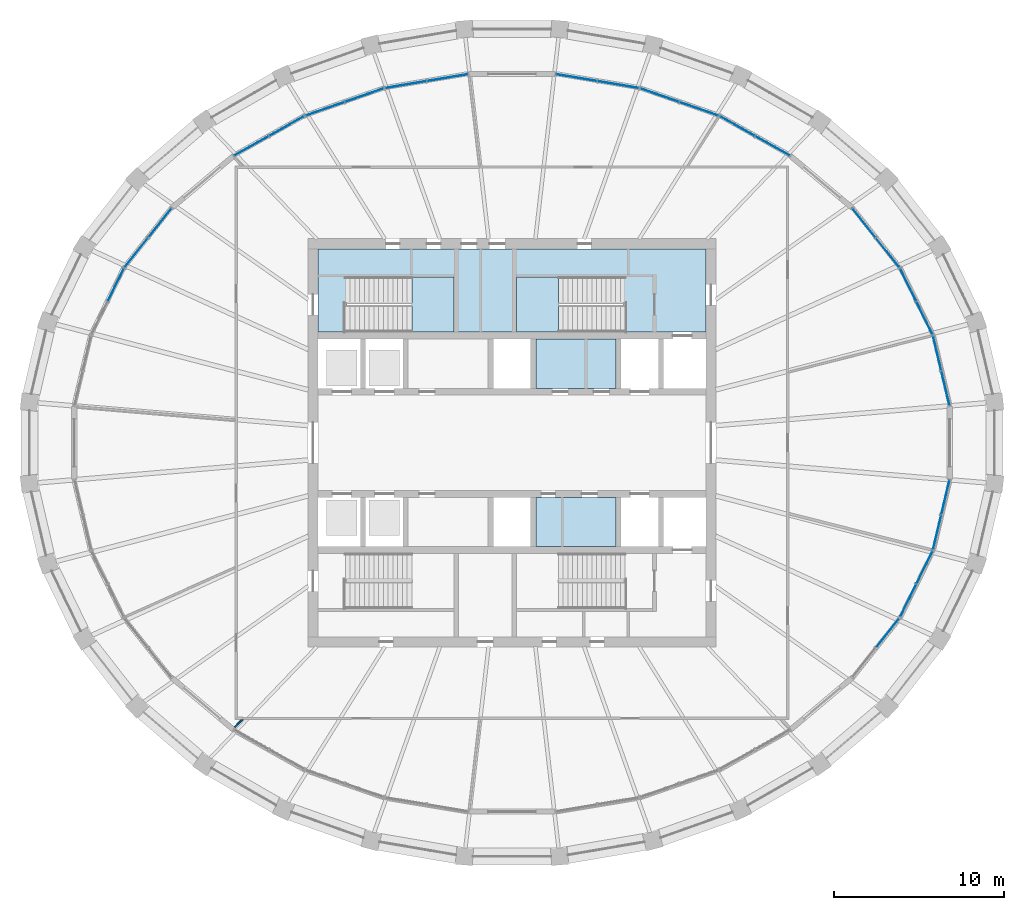
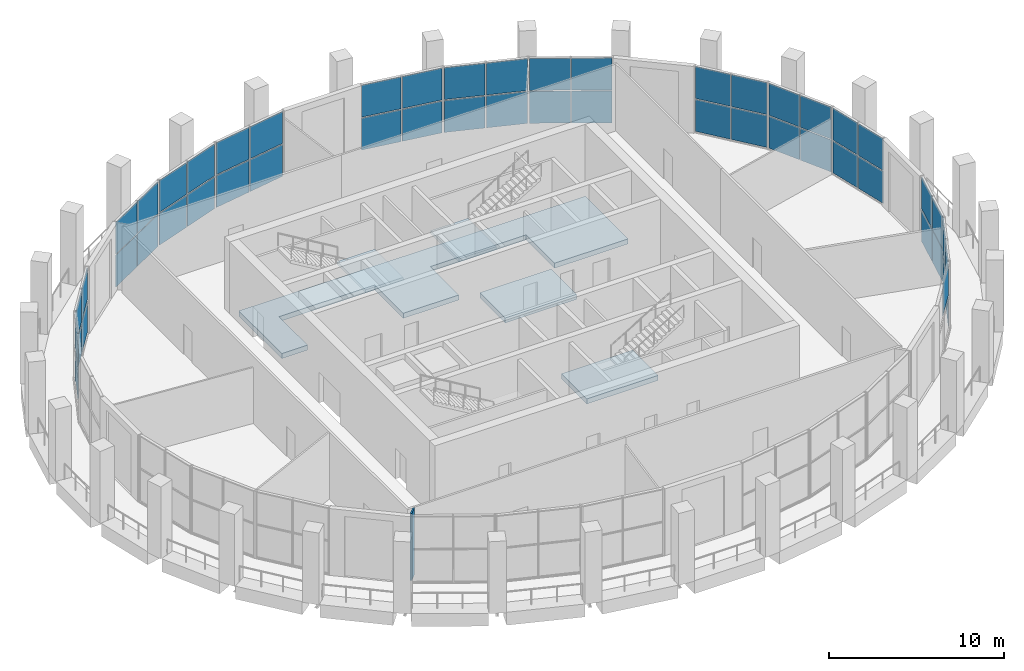
# One storey, part 9 of 16: 51 plates, 5 slabs, 1 wall, 16 elements without a shape of their own.
"""IFC4 building model written with IfcOpenShell, lengths in metres."""

from ifc_helpers import new_model, si_unit, direction, frame, origin, origin_2d, place, context, subcontext, project, spatial, polyline, rectangle, outline, extrude, material, layer, layer_set, type_object, element, aggregate, save


model = new_model("IFC4")

# Units and contexts
model_context = context("Model", 3, precision=1e-05, world=origin(), true_north=direction((0.0, 1.0)))
body_context = subcontext(model_context, "Body", "Model", "MODEL_VIEW")
ifc_project = project(units=[si_unit("LENGTHUNIT", "METRE"), si_unit("AREAUNIT", "SQUARE_METRE"), si_unit("VOLUMEUNIT", "CUBIC_METRE"), si_unit("PLANEANGLEUNIT", "RADIAN"), si_unit("MASSUNIT", "GRAM", prefix="KILO")], contexts=[model_context])

# Site, building, storey
site_placement = place(None, origin())
site = spatial("IfcSite", under=ifc_project, at=site_placement, CompositionType="ELEMENT")
building_placement = place(site_placement, origin())
building = spatial("IfcBuilding", under=site, at=building_placement, Name="Halqa Exchange Tower", CompositionType="ELEMENT")
storey_placement = place(building_placement, frame((0.0, 0.0, 333.300048828125)))
storey = spatial("IfcBuildingStorey", under=building, at=storey_placement, Name="L78", CompositionType="ELEMENT", Elevation=333.300048828125)

# Curtain wall, plates
ifc_material_1 = material(Name="Anodised aluminium and clear glass", Category="aluminium")
curtain_wall_type = type_object("IfcCurtainWallType", Name="Sky lobby glazing", PredefinedType="NOTDEFINED", material=ifc_material_1)
curtain_wall_1_placement = place(storey_placement, origin())
curtain_wall_1 = element("IfcCurtainWall", 1, at=curtain_wall_1_placement, inside=storey, type_object=curtain_wall_type, Name="Sky lobby glazing run G1", PredefinedType="NOTDEFINED")
ifc_material_2 = material(Name="Clear glass", Category="glass")
ifc_layer_1 = layer(ifc_material_2, 0.031982421875)
ifc_layer_set_1 = layer_set([ifc_layer_1], Name="Clear glass")
plate_type = type_object("IfcPlateType", Name="Clear low-emissivity glass panel 32", PredefinedType="CURTAIN_PANEL", material=ifc_layer_set_1)
plate_1_placement = place(storey_placement, frame((25.474609375, 3.20263671875, 0.06982421875), z_axis=(0.0, 0.0, 1.0), x_axis=(-0.229995471437, 0.97319169906, 0.0)))
plate_1 = element("IfcPlate", 2, at=plate_1_placement, type_object=plate_type, Name="G1 panel 1.1", PredefinedType="CURTAIN_PANEL", context=body_context, shape_type="SweptSolid", body=[
    extrude(rectangle(XDim=2.048828125, YDim=0.031982421875, at=origin_2d()), origin(), (0.0, 0.0, 1.0), 2.219970703125),
])
plate_2_placement = place(storey_placement, frame((25.474609375, 3.20263671875, 2.35986328125), z_axis=(0.0, 0.0, 1.0), x_axis=(-0.229995471437, 0.97319169906, 0.0)))
plate_2 = element("IfcPlate", 3, at=plate_2_placement, type_object=plate_type, Name="G1 panel 1.2", PredefinedType="CURTAIN_PANEL", context=body_context, shape_type="SweptSolid", body=[
    extrude(rectangle(XDim=2.048828125, YDim=0.031982421875, at=origin_2d()), origin(), (0.0, 0.0, 1.0), 2.219970703125),
])
plate_3_placement = place(storey_placement, frame((24.9873046875, 5.264404296875, 0.06982421875), z_axis=(0.0, 0.0, 1.0), x_axis=(-0.229995471437, 0.97319169906, 0.0)))
plate_3 = element("IfcPlate", 4, at=plate_3_placement, type_object=plate_type, Name="G1 panel 2.1", PredefinedType="CURTAIN_PANEL", context=body_context, shape_type="SweptSolid", body=[
    extrude(rectangle(XDim=2.048828125, YDim=0.031982421875, at=origin_2d()), origin(), (0.0, 0.0, 1.0), 2.219970703125),
])
plate_4_placement = place(storey_placement, frame((24.9873046875, 5.264404296875, 2.35986328125), z_axis=(0.0, 0.0, 1.0), x_axis=(-0.229995471437, 0.97319169906, 0.0)))
plate_4 = element("IfcPlate", 5, at=plate_4_placement, type_object=plate_type, Name="G1 panel 2.2", PredefinedType="CURTAIN_PANEL", context=body_context, shape_type="SweptSolid", body=[
    extrude(rectangle(XDim=2.048828125, YDim=0.031982421875, at=origin_2d()), origin(), (0.0, 0.0, 1.0), 2.219970703125),
])
aggregate(curtain_wall_1, [plate_1, plate_2, plate_3, plate_4])

curtain_wall_2_placement = place(storey_placement, origin())
curtain_wall_2 = element("IfcCurtainWall", 6, at=curtain_wall_2_placement, inside=storey, type_object=curtain_wall_type, Name="Sky lobby glazing run G2", PredefinedType="NOTDEFINED")
plate_5_placement = place(storey_placement, frame((24.2421875, 7.33203125, 0.06982421875), z_axis=(0.0, 0.0, 1.0), x_axis=(-0.441594506199, 0.897214741349, 0.0)))
plate_5 = element("IfcPlate", 7, at=plate_5_placement, type_object=plate_type, Name="G2 panel 1.1", PredefinedType="CURTAIN_PANEL", context=body_context, shape_type="SweptSolid", body=[
    extrude(rectangle(XDim=2.094482421875, YDim=0.031982421875, at=origin_2d()), origin(), (0.0, 0.0, 1.0), 2.219970703125),
])
plate_6_placement = place(storey_placement, frame((24.2421875, 7.33203125, 2.35986328125), z_axis=(0.0, 0.0, 1.0), x_axis=(-0.441594506199, 0.897214741349, 0.0)))
plate_6 = element("IfcPlate", 8, at=plate_6_placement, type_object=plate_type, Name="G2 panel 1.2", PredefinedType="CURTAIN_PANEL", context=body_context, shape_type="SweptSolid", body=[
    extrude(rectangle(XDim=2.094482421875, YDim=0.031982421875, at=origin_2d()), origin(), (0.0, 0.0, 1.0), 2.219970703125),
])
plate_7_placement = place(storey_placement, frame((23.286376953125, 9.27392578125, 0.06982421875), z_axis=(0.0, 0.0, 1.0), x_axis=(-0.441594506199, 0.897214741349, 0.0)))
plate_7 = element("IfcPlate", 9, at=plate_7_placement, type_object=plate_type, Name="G2 panel 2.1", PredefinedType="CURTAIN_PANEL", context=body_context, shape_type="SweptSolid", body=[
    extrude(rectangle(XDim=2.094482421875, YDim=0.031982421875, at=origin_2d()), origin(), (0.0, 0.0, 1.0), 2.219970703125),
])
plate_8_placement = place(storey_placement, frame((23.286376953125, 9.27392578125, 2.35986328125), z_axis=(0.0, 0.0, 1.0), x_axis=(-0.441594506199, 0.897214741349, 0.0)))
plate_8 = element("IfcPlate", 10, at=plate_8_placement, type_object=plate_type, Name="G2 panel 2.2", PredefinedType="CURTAIN_PANEL", context=body_context, shape_type="SweptSolid", body=[
    extrude(rectangle(XDim=2.094482421875, YDim=0.031982421875, at=origin_2d()), origin(), (0.0, 0.0, 1.0), 2.219970703125),
])
aggregate(curtain_wall_2, [plate_5, plate_6, plate_7, plate_8])

curtain_wall_3_placement = place(storey_placement, origin())
curtain_wall_3 = element("IfcCurtainWall", 11, at=curtain_wall_3_placement, inside=storey, type_object=curtain_wall_type, Name="Sky lobby glazing run G3", PredefinedType="NOTDEFINED")
plate_9_placement = place(storey_placement, frame((22.077392578125, 11.177490234375, 0.06982421875), z_axis=(0.0, 0.0, 1.0), x_axis=(-0.621817275737, 0.783162355834, 0.0)))
plate_9 = element("IfcPlate", 12, at=plate_9_placement, type_object=plate_type, Name="G3 panel 1.1", PredefinedType="CURTAIN_PANEL", context=body_context, shape_type="SweptSolid", body=[
    extrude(rectangle(XDim=2.161376953125, YDim=0.031982421875, at=origin_2d()), origin(), (0.0, 0.0, 1.0), 2.219970703125),
])
plate_10_placement = place(storey_placement, frame((22.077392578125, 11.177490234375, 2.35986328125), z_axis=(0.0, 0.0, 1.0), x_axis=(-0.621817275737, 0.783162355834, 0.0)))
plate_10 = element("IfcPlate", 13, at=plate_10_placement, type_object=plate_type, Name="G3 panel 1.2", PredefinedType="CURTAIN_PANEL", context=body_context, shape_type="SweptSolid", body=[
    extrude(rectangle(XDim=2.161376953125, YDim=0.031982421875, at=origin_2d()), origin(), (0.0, 0.0, 1.0), 2.219970703125),
])
plate_11_placement = place(storey_placement, frame((20.68994140625, 12.925048828125, 0.06982421875), z_axis=(0.0, 0.0, 1.0), x_axis=(-0.621817275737, 0.783162355834, 0.0)))
plate_11 = element("IfcPlate", 14, at=plate_11_placement, type_object=plate_type, Name="G3 panel 2.1", PredefinedType="CURTAIN_PANEL", context=body_context, shape_type="SweptSolid", body=[
    extrude(rectangle(XDim=2.161376953125, YDim=0.031982421875, at=origin_2d()), origin(), (0.0, 0.0, 1.0), 2.219970703125),
])
plate_12_placement = place(storey_placement, frame((20.68994140625, 12.925048828125, 2.35986328125), z_axis=(0.0, 0.0, 1.0), x_axis=(-0.621817275737, 0.783162355834, 0.0)))
plate_12 = element("IfcPlate", 15, at=plate_12_placement, type_object=plate_type, Name="G3 panel 2.2", PredefinedType="CURTAIN_PANEL", context=body_context, shape_type="SweptSolid", body=[
    extrude(rectangle(XDim=2.161376953125, YDim=0.031982421875, at=origin_2d()), origin(), (0.0, 0.0, 1.0), 2.219970703125),
])
aggregate(curtain_wall_3, [plate_9, plate_10, plate_11, plate_12])

curtain_wall_4_placement = place(storey_placement, origin())
curtain_wall_4 = element("IfcCurtainWall", 16, at=curtain_wall_4_placement, inside=storey, type_object=curtain_wall_type, Name="Sky lobby glazing run G5", PredefinedType="NOTDEFINED")
plate_13_placement = place(storey_placement, frame((15.3212890625, 17.44384765625, 0.06982421875), z_axis=(0.0, 0.0, 1.0), x_axis=(-0.871633547948, 0.490158094997, 0.0)))
plate_13 = element("IfcPlate", 17, at=plate_13_placement, type_object=plate_type, Name="G5 panel 1.1", PredefinedType="CURTAIN_PANEL", context=body_context, shape_type="SweptSolid", body=[
    extrude(rectangle(XDim=2.311767578125, YDim=0.031982421875, at=origin_2d()), origin(), (0.0, 0.0, 1.0), 2.219970703125),
])
plate_14_placement = place(storey_placement, frame((15.3212890625, 17.44384765625, 2.35986328125), z_axis=(0.0, 0.0, 1.0), x_axis=(-0.871633547948, 0.490158094997, 0.0)))
plate_14 = element("IfcPlate", 18, at=plate_14_placement, type_object=plate_type, Name="G5 panel 1.2", PredefinedType="CURTAIN_PANEL", context=body_context, shape_type="SweptSolid", body=[
    extrude(rectangle(XDim=2.311767578125, YDim=0.031982421875, at=origin_2d()), origin(), (0.0, 0.0, 1.0), 2.219970703125),
])
plate_15_placement = place(storey_placement, frame((13.245361328125, 18.611083984375, 0.06982421875), z_axis=(0.0, 0.0, 1.0), x_axis=(-0.871633547948, 0.490158094997, 0.0)))
plate_15 = element("IfcPlate", 19, at=plate_15_placement, type_object=plate_type, Name="G5 panel 2.1", PredefinedType="CURTAIN_PANEL", context=body_context, shape_type="SweptSolid", body=[
    extrude(rectangle(XDim=2.311767578125, YDim=0.031982421875, at=origin_2d()), origin(), (0.0, 0.0, 1.0), 2.219970703125),
])
plate_16_placement = place(storey_placement, frame((13.245361328125, 18.611083984375, 2.35986328125), z_axis=(0.0, 0.0, 1.0), x_axis=(-0.871633547948, 0.490158094997, 0.0)))
plate_16 = element("IfcPlate", 20, at=plate_16_placement, type_object=plate_type, Name="G5 panel 2.2", PredefinedType="CURTAIN_PANEL", context=body_context, shape_type="SweptSolid", body=[
    extrude(rectangle(XDim=2.311767578125, YDim=0.031982421875, at=origin_2d()), origin(), (0.0, 0.0, 1.0), 2.219970703125),
])
aggregate(curtain_wall_4, [plate_13, plate_14, plate_15, plate_16])

curtain_wall_5_placement = place(storey_placement, origin())
curtain_wall_5 = element("IfcCurtainWall", 21, at=curtain_wall_5_placement, inside=storey, type_object=curtain_wall_type, Name="Sky lobby glazing run G6", PredefinedType="NOTDEFINED")
plate_17_placement = place(storey_placement, frame((10.990478515625, 19.62548828125, 0.06982421875), z_axis=(0.0, 0.0, 1.0), x_axis=(-0.9442741551, 0.329160021888, 0.0)))
plate_17 = element("IfcPlate", 22, at=plate_17_placement, type_object=plate_type, Name="G6 panel 1.1", PredefinedType="CURTAIN_PANEL", context=body_context, shape_type="SweptSolid", body=[
    extrude(rectangle(XDim=2.37255859375, YDim=0.031982421875, at=origin_2d()), origin(), (0.0, 0.0, 1.0), 2.219970703125),
])
plate_18_placement = place(storey_placement, frame((10.990478515625, 19.62548828125, 2.35986328125), z_axis=(0.0, 0.0, 1.0), x_axis=(-0.9442741551, 0.329160021888, 0.0)))
plate_18 = element("IfcPlate", 23, at=plate_18_placement, type_object=plate_type, Name="G6 panel 1.2", PredefinedType="CURTAIN_PANEL", context=body_context, shape_type="SweptSolid", body=[
    extrude(rectangle(XDim=2.37255859375, YDim=0.031982421875, at=origin_2d()), origin(), (0.0, 0.0, 1.0), 2.219970703125),
])
plate_19_placement = place(storey_placement, frame((8.683837890625, 20.429443359375, 0.06982421875), z_axis=(0.0, 0.0, 1.0), x_axis=(-0.9442741551, 0.329160021888, 0.0)))
plate_19 = element("IfcPlate", 24, at=plate_19_placement, type_object=plate_type, Name="G6 panel 2.1", PredefinedType="CURTAIN_PANEL", context=body_context, shape_type="SweptSolid", body=[
    extrude(rectangle(XDim=2.37255859375, YDim=0.031982421875, at=origin_2d()), origin(), (0.0, 0.0, 1.0), 2.219970703125),
])
plate_20_placement = place(storey_placement, frame((8.683837890625, 20.429443359375, 2.35986328125), z_axis=(0.0, 0.0, 1.0), x_axis=(-0.9442741551, 0.329160021888, 0.0)))
plate_20 = element("IfcPlate", 25, at=plate_20_placement, type_object=plate_type, Name="G6 panel 2.2", PredefinedType="CURTAIN_PANEL", context=body_context, shape_type="SweptSolid", body=[
    extrude(rectangle(XDim=2.37255859375, YDim=0.031982421875, at=origin_2d()), origin(), (0.0, 0.0, 1.0), 2.219970703125),
])
aggregate(curtain_wall_5, [plate_17, plate_18, plate_19, plate_20])

curtain_wall_6_placement = place(storey_placement, origin())
curtain_wall_6 = element("IfcCurtainWall", 26, at=curtain_wall_6_placement, inside=storey, type_object=curtain_wall_type, Name="Sky lobby glazing run G7", PredefinedType="NOTDEFINED")
plate_21_placement = place(storey_placement, frame((6.23876953125, 21.053955078125, 0.06982421875), z_axis=(0.0, 0.0, 1.0), x_axis=(-0.986273964834, 0.165117129007, 0.0)))
plate_21 = element("IfcPlate", 27, at=plate_21_placement, type_object=plate_type, Name="G7 panel 1.1", PredefinedType="CURTAIN_PANEL", context=body_context, shape_type="SweptSolid", body=[
    extrude(rectangle(XDim=2.41259765625, YDim=0.031982421875, at=origin_2d()), origin(), (0.0, 0.0, 1.0), 2.219970703125),
])
plate_22_placement = place(storey_placement, frame((6.23876953125, 21.053955078125, 2.35986328125), z_axis=(0.0, 0.0, 1.0), x_axis=(-0.986273964834, 0.165117129007, 0.0)))
plate_22 = element("IfcPlate", 28, at=plate_22_placement, type_object=plate_type, Name="G7 panel 1.2", PredefinedType="CURTAIN_PANEL", context=body_context, shape_type="SweptSolid", body=[
    extrude(rectangle(XDim=2.41259765625, YDim=0.031982421875, at=origin_2d()), origin(), (0.0, 0.0, 1.0), 2.219970703125),
])
plate_23_placement = place(storey_placement, frame((3.790283203125, 21.4638671875, 0.06982421875), z_axis=(0.0, 0.0, 1.0), x_axis=(-0.986273964834, 0.165117129007, 0.0)))
plate_23 = element("IfcPlate", 29, at=plate_23_placement, type_object=plate_type, Name="G7 panel 2.1", PredefinedType="CURTAIN_PANEL", context=body_context, shape_type="SweptSolid", body=[
    extrude(rectangle(XDim=2.41259765625, YDim=0.031982421875, at=origin_2d()), origin(), (0.0, 0.0, 1.0), 2.219970703125),
])
plate_24_placement = place(storey_placement, frame((3.790283203125, 21.4638671875, 2.35986328125), z_axis=(0.0, 0.0, 1.0), x_axis=(-0.986273964834, 0.165117129007, 0.0)))
plate_24 = element("IfcPlate", 30, at=plate_24_placement, type_object=plate_type, Name="G7 panel 2.2", PredefinedType="CURTAIN_PANEL", context=body_context, shape_type="SweptSolid", body=[
    extrude(rectangle(XDim=2.41259765625, YDim=0.031982421875, at=origin_2d()), origin(), (0.0, 0.0, 1.0), 2.219970703125),
])
aggregate(curtain_wall_6, [plate_21, plate_22, plate_23, plate_24])

curtain_wall_7_placement = place(storey_placement, origin())
curtain_wall_7 = element("IfcCurtainWall", 31, at=curtain_wall_7_placement, inside=storey, type_object=curtain_wall_type, Name="Sky lobby glazing run G9", PredefinedType="NOTDEFINED")
plate_25_placement = place(storey_placement, frame((-3.790283203125, 21.4638671875, 0.06982421875), z_axis=(0.0, 0.0, 1.0), x_axis=(-0.986273964834, -0.165117129007, 0.0)))
plate_25 = element("IfcPlate", 32, at=plate_25_placement, type_object=plate_type, Name="G9 panel 1.1", PredefinedType="CURTAIN_PANEL", context=body_context, shape_type="SweptSolid", body=[
    extrude(rectangle(XDim=2.41259765625, YDim=0.031982421875, at=origin_2d()), origin(), (0.0, 0.0, 1.0), 2.219970703125),
])
plate_26_placement = place(storey_placement, frame((-3.790283203125, 21.4638671875, 2.35986328125), z_axis=(0.0, 0.0, 1.0), x_axis=(-0.986273964834, -0.165117129007, 0.0)))
plate_26 = element("IfcPlate", 33, at=plate_26_placement, type_object=plate_type, Name="G9 panel 1.2", PredefinedType="CURTAIN_PANEL", context=body_context, shape_type="SweptSolid", body=[
    extrude(rectangle(XDim=2.41259765625, YDim=0.031982421875, at=origin_2d()), origin(), (0.0, 0.0, 1.0), 2.219970703125),
])
plate_27_placement = place(storey_placement, frame((-6.23876953125, 21.053955078125, 0.06982421875), z_axis=(0.0, 0.0, 1.0), x_axis=(-0.986273964834, -0.165117129007, 0.0)))
plate_27 = element("IfcPlate", 34, at=plate_27_placement, type_object=plate_type, Name="G9 panel 2.1", PredefinedType="CURTAIN_PANEL", context=body_context, shape_type="SweptSolid", body=[
    extrude(rectangle(XDim=2.41259765625, YDim=0.031982421875, at=origin_2d()), origin(), (0.0, 0.0, 1.0), 2.219970703125),
])
plate_28_placement = place(storey_placement, frame((-6.23876953125, 21.053955078125, 2.35986328125), z_axis=(0.0, 0.0, 1.0), x_axis=(-0.986273964834, -0.165117129007, 0.0)))
plate_28 = element("IfcPlate", 35, at=plate_28_placement, type_object=plate_type, Name="G9 panel 2.2", PredefinedType="CURTAIN_PANEL", context=body_context, shape_type="SweptSolid", body=[
    extrude(rectangle(XDim=2.41259765625, YDim=0.031982421875, at=origin_2d()), origin(), (0.0, 0.0, 1.0), 2.219970703125),
])
aggregate(curtain_wall_7, [plate_25, plate_26, plate_27, plate_28])

curtain_wall_8_placement = place(storey_placement, origin())
curtain_wall_8 = element("IfcCurtainWall", 36, at=curtain_wall_8_placement, inside=storey, type_object=curtain_wall_type, Name="Sky lobby glazing run G10", PredefinedType="NOTDEFINED")
plate_29_placement = place(storey_placement, frame((-8.683837890625, 20.429443359375, 0.06982421875), z_axis=(0.0, 0.0, 1.0), x_axis=(-0.9442741551, -0.329160021888, 0.0)))
plate_29 = element("IfcPlate", 37, at=plate_29_placement, type_object=plate_type, Name="G10 panel 1.1", PredefinedType="CURTAIN_PANEL", context=body_context, shape_type="SweptSolid", body=[
    extrude(rectangle(XDim=2.37255859375, YDim=0.031982421875, at=origin_2d()), origin(), (0.0, 0.0, 1.0), 2.219970703125),
])
plate_30_placement = place(storey_placement, frame((-8.683837890625, 20.429443359375, 2.35986328125), z_axis=(0.0, 0.0, 1.0), x_axis=(-0.9442741551, -0.329160021888, 0.0)))
plate_30 = element("IfcPlate", 38, at=plate_30_placement, type_object=plate_type, Name="G10 panel 1.2", PredefinedType="CURTAIN_PANEL", context=body_context, shape_type="SweptSolid", body=[
    extrude(rectangle(XDim=2.37255859375, YDim=0.031982421875, at=origin_2d()), origin(), (0.0, 0.0, 1.0), 2.219970703125),
])
plate_31_placement = place(storey_placement, frame((-10.990478515625, 19.62548828125, 0.06982421875), z_axis=(0.0, 0.0, 1.0), x_axis=(-0.9442741551, -0.329160021888, 0.0)))
plate_31 = element("IfcPlate", 39, at=plate_31_placement, type_object=plate_type, Name="G10 panel 2.1", PredefinedType="CURTAIN_PANEL", context=body_context, shape_type="SweptSolid", body=[
    extrude(rectangle(XDim=2.37255859375, YDim=0.031982421875, at=origin_2d()), origin(), (0.0, 0.0, 1.0), 2.219970703125),
])
plate_32_placement = place(storey_placement, frame((-10.990478515625, 19.62548828125, 2.35986328125), z_axis=(0.0, 0.0, 1.0), x_axis=(-0.9442741551, -0.329160021888, 0.0)))
plate_32 = element("IfcPlate", 40, at=plate_32_placement, type_object=plate_type, Name="G10 panel 2.2", PredefinedType="CURTAIN_PANEL", context=body_context, shape_type="SweptSolid", body=[
    extrude(rectangle(XDim=2.37255859375, YDim=0.031982421875, at=origin_2d()), origin(), (0.0, 0.0, 1.0), 2.219970703125),
])
aggregate(curtain_wall_8, [plate_29, plate_30, plate_31, plate_32])

curtain_wall_9_placement = place(storey_placement, origin())
curtain_wall_9 = element("IfcCurtainWall", 41, at=curtain_wall_9_placement, inside=storey, type_object=curtain_wall_type, Name="Sky lobby glazing run G11", PredefinedType="NOTDEFINED")
plate_33_placement = place(storey_placement, frame((-13.245361328125, 18.611083984375, 0.06982421875), z_axis=(0.0, 0.0, 1.0), x_axis=(-0.871633547948, -0.490158094997, 0.0)))
plate_33 = element("IfcPlate", 42, at=plate_33_placement, type_object=plate_type, Name="G11 panel 1.1", PredefinedType="CURTAIN_PANEL", context=body_context, shape_type="SweptSolid", body=[
    extrude(rectangle(XDim=2.311767578125, YDim=0.031982421875, at=origin_2d()), origin(), (0.0, 0.0, 1.0), 2.219970703125),
])
plate_34_placement = place(storey_placement, frame((-13.245361328125, 18.611083984375, 2.35986328125), z_axis=(0.0, 0.0, 1.0), x_axis=(-0.871633547948, -0.490158094997, 0.0)))
plate_34 = element("IfcPlate", 43, at=plate_34_placement, type_object=plate_type, Name="G11 panel 1.2", PredefinedType="CURTAIN_PANEL", context=body_context, shape_type="SweptSolid", body=[
    extrude(rectangle(XDim=2.311767578125, YDim=0.031982421875, at=origin_2d()), origin(), (0.0, 0.0, 1.0), 2.219970703125),
])
plate_35_placement = place(storey_placement, frame((-15.3212890625, 17.44384765625, 0.06982421875), z_axis=(0.0, 0.0, 1.0), x_axis=(-0.871633547948, -0.490158094997, 0.0)))
plate_35 = element("IfcPlate", 44, at=plate_35_placement, type_object=plate_type, Name="G11 panel 2.1", PredefinedType="CURTAIN_PANEL", context=body_context, shape_type="SweptSolid", body=[
    extrude(rectangle(XDim=2.311767578125, YDim=0.031982421875, at=origin_2d()), origin(), (0.0, 0.0, 1.0), 2.219970703125),
])
plate_36_placement = place(storey_placement, frame((-15.3212890625, 17.44384765625, 2.35986328125), z_axis=(0.0, 0.0, 1.0), x_axis=(-0.871633547948, -0.490158094997, 0.0)))
plate_36 = element("IfcPlate", 45, at=plate_36_placement, type_object=plate_type, Name="G11 panel 2.2", PredefinedType="CURTAIN_PANEL", context=body_context, shape_type="SweptSolid", body=[
    extrude(rectangle(XDim=2.311767578125, YDim=0.031982421875, at=origin_2d()), origin(), (0.0, 0.0, 1.0), 2.219970703125),
])
aggregate(curtain_wall_9, [plate_33, plate_34, plate_35, plate_36])

curtain_wall_10_placement = place(storey_placement, origin())
curtain_wall_10 = element("IfcCurtainWall", 46, at=curtain_wall_10_placement, inside=storey, type_object=curtain_wall_type, Name="Sky lobby glazing run G13", PredefinedType="NOTDEFINED")
plate_37_placement = place(storey_placement, frame((-20.68994140625, 12.925048828125, 0.06982421875), z_axis=(0.0, 0.0, 1.0), x_axis=(-0.621817275737, -0.783162355834, 0.0)))
plate_37 = element("IfcPlate", 47, at=plate_37_placement, type_object=plate_type, Name="G13 panel 1.1", PredefinedType="CURTAIN_PANEL", context=body_context, shape_type="SweptSolid", body=[
    extrude(rectangle(XDim=2.161376953125, YDim=0.031982421875, at=origin_2d()), origin(), (0.0, 0.0, 1.0), 2.219970703125),
])
plate_38_placement = place(storey_placement, frame((-20.68994140625, 12.925048828125, 2.35986328125), z_axis=(0.0, 0.0, 1.0), x_axis=(-0.621817275737, -0.783162355834, 0.0)))
plate_38 = element("IfcPlate", 48, at=plate_38_placement, type_object=plate_type, Name="G13 panel 1.2", PredefinedType="CURTAIN_PANEL", context=body_context, shape_type="SweptSolid", body=[
    extrude(rectangle(XDim=2.161376953125, YDim=0.031982421875, at=origin_2d()), origin(), (0.0, 0.0, 1.0), 2.219970703125),
])
plate_39_placement = place(storey_placement, frame((-22.077392578125, 11.177490234375, 0.06982421875), z_axis=(0.0, 0.0, 1.0), x_axis=(-0.621817275737, -0.783162355834, 0.0)))
plate_39 = element("IfcPlate", 49, at=plate_39_placement, type_object=plate_type, Name="G13 panel 2.1", PredefinedType="CURTAIN_PANEL", context=body_context, shape_type="SweptSolid", body=[
    extrude(rectangle(XDim=2.161376953125, YDim=0.031982421875, at=origin_2d()), origin(), (0.0, 0.0, 1.0), 2.219970703125),
])
plate_40_placement = place(storey_placement, frame((-22.077392578125, 11.177490234375, 2.35986328125), z_axis=(0.0, 0.0, 1.0), x_axis=(-0.621817275737, -0.783162355834, 0.0)))
plate_40 = element("IfcPlate", 50, at=plate_40_placement, type_object=plate_type, Name="G13 panel 2.2", PredefinedType="CURTAIN_PANEL", context=body_context, shape_type="SweptSolid", body=[
    extrude(rectangle(XDim=2.161376953125, YDim=0.031982421875, at=origin_2d()), origin(), (0.0, 0.0, 1.0), 2.219970703125),
])
aggregate(curtain_wall_10, [plate_37, plate_38, plate_39, plate_40])

curtain_wall_11_placement = place(storey_placement, origin())
curtain_wall_11 = element("IfcCurtainWall", 51, at=curtain_wall_11_placement, inside=storey, type_object=curtain_wall_type, Name="Sky lobby glazing run G14", PredefinedType="NOTDEFINED")
plate_41_placement = place(storey_placement, frame((-23.286376953125, 9.27392578125, 0.06982421875), z_axis=(0.0, 0.0, 1.0), x_axis=(-0.441594506199, -0.897214741349, 0.0)))
plate_41 = element("IfcPlate", 52, at=plate_41_placement, type_object=plate_type, Name="G14 panel 1.1", PredefinedType="CURTAIN_PANEL", context=body_context, shape_type="SweptSolid", body=[
    extrude(rectangle(XDim=2.094482421875, YDim=0.031982421875, at=origin_2d()), origin(), (0.0, 0.0, 1.0), 2.219970703125),
])
plate_42_placement = place(storey_placement, frame((-23.286376953125, 9.27392578125, 2.35986328125), z_axis=(0.0, 0.0, 1.0), x_axis=(-0.441594506199, -0.897214741349, 0.0)))
plate_42 = element("IfcPlate", 53, at=plate_42_placement, type_object=plate_type, Name="G14 panel 1.2", PredefinedType="CURTAIN_PANEL", context=body_context, shape_type="SweptSolid", body=[
    extrude(rectangle(XDim=2.094482421875, YDim=0.031982421875, at=origin_2d()), origin(), (0.0, 0.0, 1.0), 2.219970703125),
])
aggregate(curtain_wall_11, [plate_41, plate_42])

# Curtain wall, plate
curtain_wall_12_placement = place(storey_placement, origin())
curtain_wall_12 = element("IfcCurtainWall", 54, at=curtain_wall_12_placement, inside=storey, type_object=curtain_wall_type, Name="Sky lobby glazing run G29", PredefinedType="NOTDEFINED")
plate_43_placement = place(storey_placement, frame((22.077392578125, -11.177490234375, 2.35986328125), z_axis=(0.0, 0.0, 1.0), x_axis=(0.621817275737, 0.783162355834, 0.0)))
plate_43 = element("IfcPlate", 55, at=plate_43_placement, type_object=plate_type, Name="G29 panel 2.2", PredefinedType="CURTAIN_PANEL", context=body_context, shape_type="SweptSolid", body=[
    extrude(rectangle(XDim=2.161376953125, YDim=0.031982421875, at=origin_2d()), origin(), (0.0, 0.0, 1.0), 2.219970703125),
])
aggregate(curtain_wall_12, [plate_43])

# Curtain wall, plates
curtain_wall_13_placement = place(storey_placement, origin())
curtain_wall_13 = element("IfcCurtainWall", 56, at=curtain_wall_13_placement, inside=storey, type_object=curtain_wall_type, Name="Sky lobby glazing run G30", PredefinedType="NOTDEFINED")
plate_44_placement = place(storey_placement, frame((23.286376953125, -9.27392578125, 0.06982421875), z_axis=(0.0, 0.0, 1.0), x_axis=(0.441594506199, 0.897214741349, 0.0)))
plate_44 = element("IfcPlate", 57, at=plate_44_placement, type_object=plate_type, Name="G30 panel 1.1", PredefinedType="CURTAIN_PANEL", context=body_context, shape_type="SweptSolid", body=[
    extrude(rectangle(XDim=2.094482421875, YDim=0.031982421875, at=origin_2d()), origin(), (0.0, 0.0, 1.0), 2.219970703125),
])
plate_45_placement = place(storey_placement, frame((23.286376953125, -9.27392578125, 2.35986328125), z_axis=(0.0, 0.0, 1.0), x_axis=(0.441594506199, 0.897214741349, 0.0)))
plate_45 = element("IfcPlate", 58, at=plate_45_placement, type_object=plate_type, Name="G30 panel 1.2", PredefinedType="CURTAIN_PANEL", context=body_context, shape_type="SweptSolid", body=[
    extrude(rectangle(XDim=2.094482421875, YDim=0.031982421875, at=origin_2d()), origin(), (0.0, 0.0, 1.0), 2.219970703125),
])
plate_46_placement = place(storey_placement, frame((24.2421875, -7.33203125, 0.06982421875), z_axis=(0.0, 0.0, 1.0), x_axis=(0.441594506199, 0.897214741349, 0.0)))
plate_46 = element("IfcPlate", 59, at=plate_46_placement, type_object=plate_type, Name="G30 panel 2.1", PredefinedType="CURTAIN_PANEL", context=body_context, shape_type="SweptSolid", body=[
    extrude(rectangle(XDim=2.094482421875, YDim=0.031982421875, at=origin_2d()), origin(), (0.0, 0.0, 1.0), 2.219970703125),
])
plate_47_placement = place(storey_placement, frame((24.2421875, -7.33203125, 2.35986328125), z_axis=(0.0, 0.0, 1.0), x_axis=(0.441594506199, 0.897214741349, 0.0)))
plate_47 = element("IfcPlate", 60, at=plate_47_placement, type_object=plate_type, Name="G30 panel 2.2", PredefinedType="CURTAIN_PANEL", context=body_context, shape_type="SweptSolid", body=[
    extrude(rectangle(XDim=2.094482421875, YDim=0.031982421875, at=origin_2d()), origin(), (0.0, 0.0, 1.0), 2.219970703125),
])
aggregate(curtain_wall_13, [plate_44, plate_45, plate_46, plate_47])

curtain_wall_14_placement = place(storey_placement, origin())
curtain_wall_14 = element("IfcCurtainWall", 61, at=curtain_wall_14_placement, inside=storey, type_object=curtain_wall_type, Name="Sky lobby glazing run G31", PredefinedType="NOTDEFINED")
plate_48_placement = place(storey_placement, frame((24.9873046875, -5.264404296875, 0.06982421875), z_axis=(0.0, 0.0, 1.0), x_axis=(0.229995471437, 0.97319169906, 0.0)))
plate_48 = element("IfcPlate", 62, at=plate_48_placement, type_object=plate_type, Name="G31 panel 1.1", PredefinedType="CURTAIN_PANEL", context=body_context, shape_type="SweptSolid", body=[
    extrude(rectangle(XDim=2.048828125, YDim=0.031982421875, at=origin_2d()), origin(), (0.0, 0.0, 1.0), 2.219970703125),
])
plate_49_placement = place(storey_placement, frame((24.9873046875, -5.264404296875, 2.35986328125), z_axis=(0.0, 0.0, 1.0), x_axis=(0.229995471437, 0.97319169906, 0.0)))
plate_49 = element("IfcPlate", 63, at=plate_49_placement, type_object=plate_type, Name="G31 panel 1.2", PredefinedType="CURTAIN_PANEL", context=body_context, shape_type="SweptSolid", body=[
    extrude(rectangle(XDim=2.048828125, YDim=0.031982421875, at=origin_2d()), origin(), (0.0, 0.0, 1.0), 2.219970703125),
])
plate_50_placement = place(storey_placement, frame((25.474609375, -3.20263671875, 0.06982421875), z_axis=(0.0, 0.0, 1.0), x_axis=(0.229995471437, 0.97319169906, 0.0)))
plate_50 = element("IfcPlate", 64, at=plate_50_placement, type_object=plate_type, Name="G31 panel 2.1", PredefinedType="CURTAIN_PANEL", context=body_context, shape_type="SweptSolid", body=[
    extrude(rectangle(XDim=2.048828125, YDim=0.031982421875, at=origin_2d()), origin(), (0.0, 0.0, 1.0), 2.219970703125),
])
plate_51_placement = place(storey_placement, frame((25.474609375, -3.20263671875, 2.35986328125), z_axis=(0.0, 0.0, 1.0), x_axis=(0.229995471437, 0.97319169906, 0.0)))
plate_51 = element("IfcPlate", 65, at=plate_51_placement, type_object=plate_type, Name="G31 panel 2.2", PredefinedType="CURTAIN_PANEL", context=body_context, shape_type="SweptSolid", body=[
    extrude(rectangle(XDim=2.048828125, YDim=0.031982421875, at=origin_2d()), origin(), (0.0, 0.0, 1.0), 2.219970703125),
])
aggregate(curtain_wall_14, [plate_48, plate_49, plate_50, plate_51])

# Slabs
ifc_material_3 = material(Name="Concrete C60/75", Category="concrete")
ifc_layer_2 = layer(ifc_material_3, 0.35009765625)
ifc_layer_set_2 = layer_set([ifc_layer_2], Name="Concrete C60/75")
slab_type_1 = type_object("IfcSlabType", Name="Core floor slab 350", PredefinedType="FLOOR", material=ifc_layer_set_2)
slab_1_placement = place(storey_placement, frame((0.0, 0.0, -0.35009765625)))
element("IfcSlab", 66, at=slab_1_placement, inside=storey, type_object=slab_type_1, Name="Core floor slab", PredefinedType="FLOOR", context=body_context, shape_type="SweptSolid", body=[
    extrude(outline(polyline([(-11.39990234375, 11.39990234375), (11.39990234375, 11.39990234375), (11.39990234375, 6.5), (6.550048828125, 6.5), (6.550048828125, 9.75), (0.25, 9.75), (0.25, 6.5), (-3.39990234375, 6.5), (-3.39990234375, 9.75), (-9.699951171875, 9.75), (-9.699951171875, 6.5), (-11.39990234375, 6.5), (-11.39990234375, 11.39990234375)])), origin(), (0.0, 0.0, 1.0), 0.35009765625),
])
slab_2_placement = place(storey_placement, frame((0.0, 0.0, -0.35009765625)))
element("IfcSlab", 67, at=slab_2_placement, inside=storey, type_object=slab_type_1, Name="Core floor slab", PredefinedType="FLOOR", context=body_context, shape_type="SweptSolid", body=[
    extrude(outline(polyline([(6.10009765625, -3.199951171875), (6.10009765625, -6.10009765625), (1.39990234375, -6.10009765625), (1.39990234375, -3.199951171875), (6.10009765625, -3.199951171875)])), origin(), (0.0, 0.0, 1.0), 0.35009765625),
])
slab_3_placement = place(storey_placement, frame((0.0, 0.0, -0.35009765625)))
element("IfcSlab", 68, at=slab_3_placement, inside=storey, type_object=slab_type_1, Name="Core floor slab", PredefinedType="FLOOR", context=body_context, shape_type="SweptSolid", body=[
    extrude(outline(polyline([(6.10009765625, 6.10009765625), (6.10009765625, 3.199951171875), (1.39990234375, 3.199951171875), (1.39990234375, 6.10009765625), (6.10009765625, 6.10009765625)])), origin(), (0.0, 0.0, 1.0), 0.35009765625),
])

# Stair, slab
ifc_material_4 = material(Name="Concrete C30/37", Category="concrete")
stair_type = type_object("IfcStairType", Name="Exit stair 1500 wide", PredefinedType="HALF_TURN_STAIR", material=ifc_material_4)
stair_1_placement = place(storey_placement, origin())
stair_1 = element("IfcStair", 69, at=stair_1_placement, inside=storey, type_object=stair_type, Name="Exit stair ST1", PredefinedType="HALF_TURN_STAIR")
ifc_layer_3 = layer(ifc_material_4, 0.199951171875)
ifc_layer_set_3 = layer_set([ifc_layer_3], Name="Concrete C30/37")
slab_type_2 = type_object("IfcSlabType", Name="Stair landing 200 slab", PredefinedType="LANDING", material=ifc_layer_set_3)
slab_4_placement = place(storey_placement, frame((0.0, 0.0, 2.300048828125)))
slab_4 = element("IfcSlab", 70, at=slab_4_placement, type_object=slab_type_2, Name="ST1 landing 1", PredefinedType="LANDING", context=body_context, shape_type="SweptSolid", body=[
    extrude(outline(polyline([(-5.8798828125, 6.5), (-3.39990234375, 6.5), (-3.39990234375, 9.75), (-5.8798828125, 9.75), (-5.8798828125, 6.5)])), origin(), (0.0, 0.0, 1.0), 0.199951171875),
])
aggregate(stair_1, [slab_4])

stair_2_placement = place(storey_placement, origin())
stair_2 = element("IfcStair", 71, at=stair_2_placement, inside=storey, type_object=stair_type, Name="Exit stair ST2", PredefinedType="HALF_TURN_STAIR")
slab_5_placement = place(storey_placement, frame((0.0, 0.0, 2.300048828125)))
slab_5 = element("IfcSlab", 72, at=slab_5_placement, type_object=slab_type_2, Name="ST2 landing 1", PredefinedType="LANDING", context=body_context, shape_type="SweptSolid", body=[
    extrude(outline(polyline([(0.25, 6.5), (2.72998046875, 6.5), (2.72998046875, 9.75), (0.25, 9.75), (0.25, 6.5)])), origin(), (0.0, 0.0, 1.0), 0.199951171875),
])
aggregate(stair_2, [slab_5])

# Wall
ifc_material_5 = material(Name="Gypsum board")
ifc_layer_4 = layer(ifc_material_5, 0.10009765625)
ifc_layer_set_4 = layer_set([ifc_layer_4], Name="Gypsum board")
wall_type = type_object("IfcWallType", Name="Partition 100 gypsum", PredefinedType="PARTITIONING", material=ifc_layer_set_4)
wall_placement = place(storey_placement, frame((-15.83935546875, -16.240478515625, 0.0), z_axis=(0.0, 0.0, 1.0), x_axis=(-0.697495291355, -0.716589365353, 0.0)))
element("IfcWall", 73, at=wall_placement, inside=storey, type_object=wall_type, Name="L78-PWL-006", PredefinedType="PARTITIONING", context=body_context, shape_type="SweptSolid", body=[
    extrude(outline(polyline([(0.0, 0.050048828125), (0.0, 0.049560546875), (0.096923828125, -0.050048828125), (0.652099609375, -0.050048828125), (0.652099609375, 0.050048828125), (0.0, 0.050048828125)])), origin(), (0.0, 0.0, 1.0), 4.64990234375),
])

save(model, "model.ifc")
